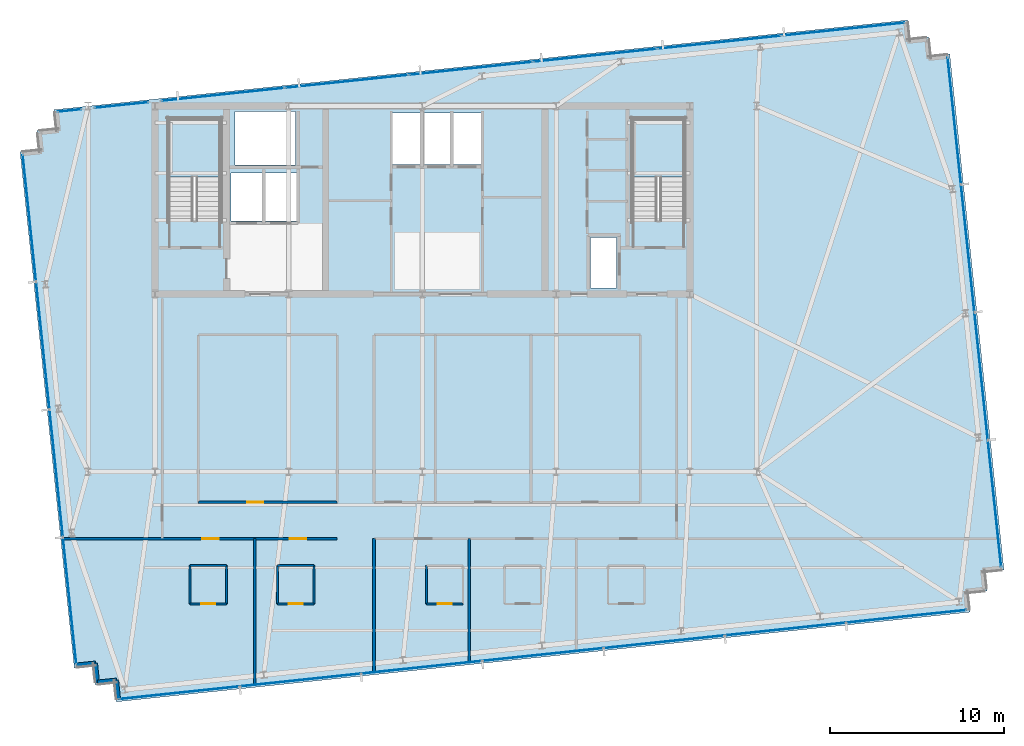
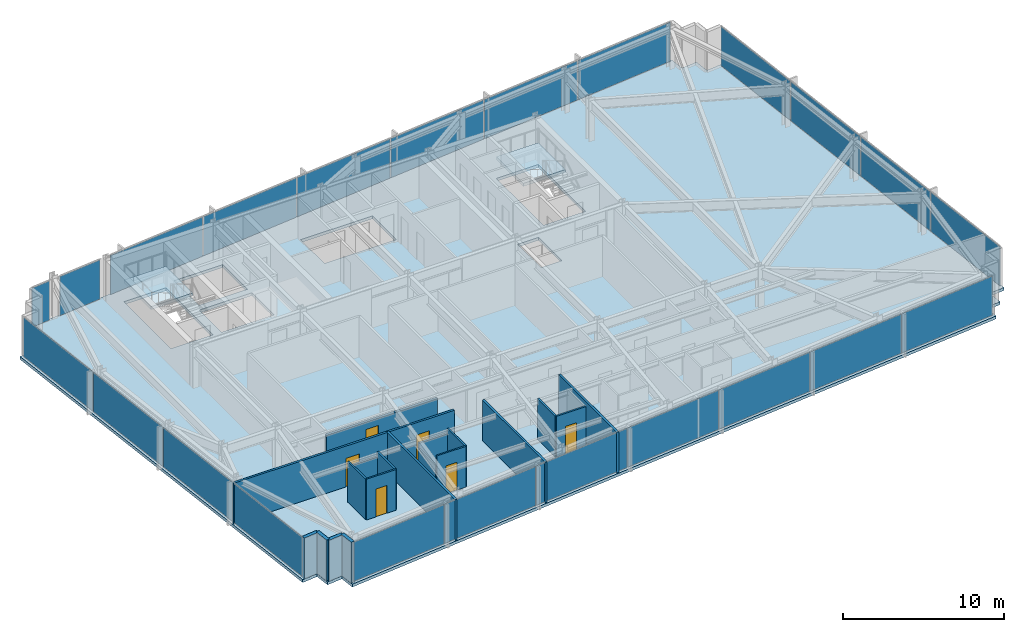
# One storey, part 26 of 33: 23 plates, 19 walls, 6 doors, 3 slabs, 6 openings, 8 elements without a shape of their own.
"""IFC4 building model written with IfcOpenShell, lengths in metres."""

from ifc_helpers import new_model, si_unit, direction, frame, frame_2d, origin, origin_2d, place, context, subcontext, project, spatial, polyline, rectangle, outline, extrude, material, layer, layer_set, type_object, element, fill, aggregate, save


model = new_model("IFC4")

# Units and contexts
model_context = context("Model", 3, precision=1e-05, world=origin(), true_north=direction((0.0, 1.0)))
body_context = subcontext(model_context, "Body", "Model", "MODEL_VIEW")
ifc_project = project(units=[si_unit("LENGTHUNIT", "METRE"), si_unit("AREAUNIT", "SQUARE_METRE"), si_unit("VOLUMEUNIT", "CUBIC_METRE"), si_unit("PLANEANGLEUNIT", "RADIAN"), si_unit("MASSUNIT", "GRAM", prefix="KILO")], contexts=[model_context])

# Site, building, storey
site_placement = place(None, origin())
site = spatial("IfcSite", under=ifc_project, at=site_placement, CompositionType="ELEMENT")
building_placement = place(site_placement, origin())
building = spatial("IfcBuilding", under=site, at=building_placement, Name="Yelkora Congress Tower", CompositionType="ELEMENT")
storey_placement = place(building_placement, frame((0.0, 0.0, 227.60009765625)))
storey = spatial("IfcBuildingStorey", under=building, at=storey_placement, Name="L63", CompositionType="ELEMENT", Elevation=227.60009765625)

# Curtain wall, plates
ifc_material_1 = material(Name="Anodised aluminium and insulated glass", Category="aluminium")
curtain_wall_type = type_object("IfcCurtainWallType", Name="CW-SYS-B4", PredefinedType="NOTDEFINED", material=ifc_material_1)
curtain_wall_1_placement = place(storey_placement, origin())
curtain_wall_1 = element("IfcCurtainWall", 1, at=curtain_wall_1_placement, inside=storey, type_object=curtain_wall_type, Name="L63 Unitised Curtain Wall 5", PredefinedType="NOTDEFINED")
ifc_material_2 = material(Name="Triple-silver diplomatic glass unit B4", Category="glass")
ifc_layer_1 = layer(ifc_material_2, 0.035888671875)
ifc_layer_set_1 = layer_set([ifc_layer_1], Name="Triple-silver diplomatic glass unit B4")
plate_type = type_object("IfcPlateType", Name="PLT-PN-B4", PredefinedType="CURTAIN_PANEL", material=ifc_layer_set_1)
plate_1_placement = place(storey_placement, frame((18.139404296875, 17.7724609375, 0.059814453125), z_axis=(0.0, 0.0, 1.0), x_axis=(-0.104526079034, 0.994522145958, 0.0)))
plate_1 = element("IfcPlate", 2, at=plate_1_placement, type_object=plate_type, Name="CW-B4 panel 1.1", PredefinedType="CURTAIN_PANEL", context=body_context, shape_type="SweptSolid", body=[
    extrude(rectangle(XDim=7.282470703125, YDim=0.035888671875, at=origin_2d()), origin(), (0.0, 0.0, 1.0), 2.9599609375),
])
plate_2_placement = place(storey_placement, frame((17.36962890625, 25.095703125, 0.059814453125), z_axis=(0.0, 0.0, 1.0), x_axis=(-0.104526079034, 0.994522145958, 0.0)))
plate_2 = element("IfcPlate", 3, at=plate_2_placement, type_object=plate_type, Name="CW-B4 panel 2.1", PredefinedType="CURTAIN_PANEL", context=body_context, shape_type="SweptSolid", body=[
    extrude(rectangle(XDim=7.31494140625, YDim=0.035888671875, at=origin_2d()), origin(), (0.0, 0.0, 1.0), 2.9599609375),
])
plate_3_placement = place(storey_placement, frame((16.59814453125, 32.435302734375, 0.059814453125), z_axis=(0.0, 0.0, 1.0), x_axis=(-0.104526079034, 0.994522145958, 0.0)))
plate_3 = element("IfcPlate", 4, at=plate_3_placement, type_object=plate_type, Name="CW-B4 panel 3.1", PredefinedType="CURTAIN_PANEL", context=body_context, shape_type="SweptSolid", body=[
    extrude(rectangle(XDim=7.31494140625, YDim=0.035888671875, at=origin_2d()), origin(), (0.0, 0.0, 1.0), 2.9599609375),
])
plate_4_placement = place(storey_placement, frame((15.82861328125, 39.7587890625, 0.059814453125), z_axis=(0.0, 0.0, 1.0), x_axis=(-0.104526079034, 0.994522145958, 0.0)))
plate_4 = element("IfcPlate", 5, at=plate_4_placement, type_object=plate_type, Name="CW-B4 panel 4.1", PredefinedType="CURTAIN_PANEL", context=body_context, shape_type="SweptSolid", body=[
    extrude(rectangle(XDim=7.282470703125, YDim=0.035888671875, at=origin_2d()), origin(), (0.0, 0.0, 1.0), 2.9599609375),
])
aggregate(curtain_wall_1, [plate_1, plate_2, plate_3, plate_4])

# Curtain wall, plate
curtain_wall_2_placement = place(storey_placement, origin())
curtain_wall_2 = element("IfcCurtainWall", 6, at=curtain_wall_2_placement, inside=storey, type_object=curtain_wall_type, Name="L63 Unitised Curtain Wall 10 (1)", PredefinedType="NOTDEFINED")
plate_5_placement = place(storey_placement, frame((18.136474609375, 45.940185546875, 0.059814453125), z_axis=(0.0, 0.0, 1.0), x_axis=(0.994523910137, 0.104509292244, 0.0)))
plate_5 = element("IfcPlate", 7, at=plate_5_placement, type_object=plate_type, Name="CW-B4 panel 1.1", PredefinedType="CURTAIN_PANEL", context=body_context, shape_type="SweptSolid", body=[
    extrude(rectangle(XDim=1.35302734375, YDim=0.035888671875, at=origin_2d()), origin(), (0.0, 0.0, 1.0), 2.9599609375),
])
aggregate(curtain_wall_2, [plate_5])

curtain_wall_3_placement = place(storey_placement, origin())
curtain_wall_3 = element("IfcCurtainWall", 8, at=curtain_wall_3_placement, inside=storey, type_object=curtain_wall_type, Name="L63 Unitised Curtain Wall 10 (2)", PredefinedType="NOTDEFINED")
plate_6_placement = place(storey_placement, frame((21.1201171875, 46.253662109375, 0.059814453125), z_axis=(0.0, 0.0, 1.0), x_axis=(0.994524239868, 0.104506154437, 0.0)))
plate_6 = element("IfcPlate", 9, at=plate_6_placement, type_object=plate_type, Name="CW-B4 panel 1.1", PredefinedType="CURTAIN_PANEL", context=body_context, shape_type="SweptSolid", body=[
    extrude(rectangle(XDim=3.075439453125, YDim=0.035888671875, at=origin_2d()), origin(), (0.0, 0.0, 1.0), 2.9599609375),
])
aggregate(curtain_wall_3, [plate_6])

# Curtain wall, plates
curtain_wall_4_placement = place(storey_placement, origin())
curtain_wall_4 = element("IfcCurtainWall", 10, at=curtain_wall_4_placement, inside=storey, type_object=curtain_wall_type, Name="L63 Unitised Curtain Wall 10 (3)", PredefinedType="NOTDEFINED")
plate_7_placement = place(storey_placement, frame((26.947509765625, 46.8662109375, 0.059814453125), z_axis=(0.0, 0.0, 1.0), x_axis=(0.994521973066, 0.104527724021, 0.0)))
plate_7 = element("IfcPlate", 11, at=plate_7_placement, type_object=plate_type, Name="CW-B4 panel 1.1", PredefinedType="CURTAIN_PANEL", context=body_context, shape_type="SweptSolid", body=[
    extrude(rectangle(XDim=7.072509765625, YDim=0.035888671875, at=origin_2d()), origin(), (0.0, 0.0, 1.0), 2.9599609375),
])
plate_8_placement = place(storey_placement, frame((34.06201171875, 47.614013671875, 0.059814453125), z_axis=(0.0, 0.0, 1.0), x_axis=(0.994521973066, 0.104527724021, 0.0)))
plate_8 = element("IfcPlate", 12, at=plate_8_placement, type_object=plate_type, Name="CW-B4 panel 2.1", PredefinedType="CURTAIN_PANEL", context=body_context, shape_type="SweptSolid", body=[
    extrude(rectangle(XDim=7.10498046875, YDim=0.035888671875, at=origin_2d()), origin(), (0.0, 0.0, 1.0), 2.9599609375),
])
plate_9_placement = place(storey_placement, frame((41.19287109375, 48.363525390625, 0.059814453125), z_axis=(0.0, 0.0, 1.0), x_axis=(0.994521973066, 0.104527724021, 0.0)))
plate_9 = element("IfcPlate", 13, at=plate_9_placement, type_object=plate_type, Name="CW-B4 panel 3.1", PredefinedType="CURTAIN_PANEL", context=body_context, shape_type="SweptSolid", body=[
    extrude(rectangle(XDim=7.10498046875, YDim=0.035888671875, at=origin_2d()), origin(), (0.0, 0.0, 1.0), 2.9599609375),
])
plate_10_placement = place(storey_placement, frame((48.32373046875, 49.113037109375, 0.059814453125), z_axis=(0.0, 0.0, 1.0), x_axis=(0.994521973066, 0.104527724021, 0.0)))
plate_10 = element("IfcPlate", 14, at=plate_10_placement, type_object=plate_type, Name="CW-B4 panel 4.1", PredefinedType="CURTAIN_PANEL", context=body_context, shape_type="SweptSolid", body=[
    extrude(rectangle(XDim=7.10498046875, YDim=0.035888671875, at=origin_2d()), origin(), (0.0, 0.0, 1.0), 2.9599609375),
])
plate_11_placement = place(storey_placement, frame((55.454345703125, 49.8623046875, 0.059814453125), z_axis=(0.0, 0.0, 1.0), x_axis=(0.994521973066, 0.104527724021, 0.0)))
plate_11 = element("IfcPlate", 15, at=plate_11_placement, type_object=plate_type, Name="CW-B4 panel 5.1", PredefinedType="CURTAIN_PANEL", context=body_context, shape_type="SweptSolid", body=[
    extrude(rectangle(XDim=7.10498046875, YDim=0.035888671875, at=origin_2d()), origin(), (0.0, 0.0, 1.0), 2.9599609375),
])
plate_12_placement = place(storey_placement, frame((62.56884765625, 50.610107421875, 0.059814453125), z_axis=(0.0, 0.0, 1.0), x_axis=(0.994521973066, 0.104527724021, 0.0)))
plate_12 = element("IfcPlate", 16, at=plate_12_placement, type_object=plate_type, Name="CW-B4 panel 6.1", PredefinedType="CURTAIN_PANEL", context=body_context, shape_type="SweptSolid", body=[
    extrude(rectangle(XDim=7.072509765625, YDim=0.035888671875, at=origin_2d()), origin(), (0.0, 0.0, 1.0), 2.9599609375),
])
aggregate(curtain_wall_4, [plate_7, plate_8, plate_9, plate_10, plate_11, plate_12])

curtain_wall_5_placement = place(storey_placement, origin())
curtain_wall_5 = element("IfcCurtainWall", 17, at=curtain_wall_5_placement, inside=storey, type_object=curtain_wall_type, Name="L63 Unitised Curtain Wall 15", PredefinedType="NOTDEFINED")
plate_13_placement = place(storey_placement, frame((68.955810546875, 45.3427734375, 0.059814453125), z_axis=(0.0, 0.0, 1.0), x_axis=(0.104525726898, -0.994522182968, 0.0)))
plate_13 = element("IfcPlate", 18, at=plate_13_placement, type_object=plate_type, Name="CW-B4 panel 1.1", PredefinedType="CURTAIN_PANEL", context=body_context, shape_type="SweptSolid", body=[
    extrude(rectangle(XDim=7.282470703125, YDim=0.035888671875, at=origin_2d()), origin(), (0.0, 0.0, 1.0), 2.9599609375),
])
plate_14_placement = place(storey_placement, frame((69.7255859375, 38.019287109375, 0.059814453125), z_axis=(0.0, 0.0, 1.0), x_axis=(0.104525726898, -0.994522182968, 0.0)))
plate_14 = element("IfcPlate", 19, at=plate_14_placement, type_object=plate_type, Name="CW-B4 panel 2.1", PredefinedType="CURTAIN_PANEL", context=body_context, shape_type="SweptSolid", body=[
    extrude(rectangle(XDim=7.31494140625, YDim=0.035888671875, at=origin_2d()), origin(), (0.0, 0.0, 1.0), 2.9599609375),
])
plate_15_placement = place(storey_placement, frame((70.496826171875, 30.6796875, 0.059814453125), z_axis=(0.0, 0.0, 1.0), x_axis=(0.104525726898, -0.994522182968, 0.0)))
plate_15 = element("IfcPlate", 20, at=plate_15_placement, type_object=plate_type, Name="CW-B4 panel 3.1", PredefinedType="CURTAIN_PANEL", context=body_context, shape_type="SweptSolid", body=[
    extrude(rectangle(XDim=7.31494140625, YDim=0.035888671875, at=origin_2d()), origin(), (0.0, 0.0, 1.0), 2.9599609375),
])
plate_16_placement = place(storey_placement, frame((71.2666015625, 23.356201171875, 0.059814453125), z_axis=(0.0, 0.0, 1.0), x_axis=(0.104525726898, -0.994522182968, 0.0)))
plate_16 = element("IfcPlate", 21, at=plate_16_placement, type_object=plate_type, Name="CW-B4 panel 4.1", PredefinedType="CURTAIN_PANEL", context=body_context, shape_type="SweptSolid", body=[
    extrude(rectangle(XDim=7.282470703125, YDim=0.035888671875, at=origin_2d()), origin(), (0.0, 0.0, 1.0), 2.9599609375),
])
aggregate(curtain_wall_5, [plate_13, plate_14, plate_15, plate_16])

curtain_wall_6_placement = place(storey_placement, origin())
curtain_wall_6 = element("IfcCurtainWall", 22, at=curtain_wall_6_placement, inside=storey, type_object=curtain_wall_type, Name="L63 Unitised Curtain Wall 20", PredefinedType="NOTDEFINED")
plate_17_placement = place(storey_placement, frame((66.19775390625, 16.884765625, 0.059814453125), z_axis=(0.0, 0.0, 1.0), x_axis=(-0.994522084373, -0.104526664994, 0.0)))
plate_17 = element("IfcPlate", 23, at=plate_17_placement, type_object=plate_type, Name="CW-B4 panel 1.1", PredefinedType="CURTAIN_PANEL", context=body_context, shape_type="SweptSolid", body=[
    extrude(rectangle(XDim=6.9052734375, YDim=0.035888671875, at=origin_2d()), origin(), (0.0, 0.0, 1.0), 2.9599609375),
])
plate_18_placement = place(storey_placement, frame((59.249267578125, 16.154541015625, 0.059814453125), z_axis=(0.0, 0.0, 1.0), x_axis=(-0.994522084373, -0.104526664994, 0.0)))
plate_18 = element("IfcPlate", 24, at=plate_18_placement, type_object=plate_type, Name="CW-B4 panel 2.1", PredefinedType="CURTAIN_PANEL", context=body_context, shape_type="SweptSolid", body=[
    extrude(rectangle(XDim=6.937744140625, YDim=0.035888671875, at=origin_2d()), origin(), (0.0, 0.0, 1.0), 2.9599609375),
])
plate_19_placement = place(storey_placement, frame((52.284912109375, 15.42236328125, 0.059814453125), z_axis=(0.0, 0.0, 1.0), x_axis=(-0.994522084373, -0.104526664994, 0.0)))
plate_19 = element("IfcPlate", 25, at=plate_19_placement, type_object=plate_type, Name="CW-B4 panel 3.1", PredefinedType="CURTAIN_PANEL", context=body_context, shape_type="SweptSolid", body=[
    extrude(rectangle(XDim=6.937744140625, YDim=0.035888671875, at=origin_2d()), origin(), (0.0, 0.0, 1.0), 2.9599609375),
])
plate_20_placement = place(storey_placement, frame((45.3203125, 14.6904296875, 0.059814453125), z_axis=(0.0, 0.0, 1.0), x_axis=(-0.994522084373, -0.104526664994, 0.0)))
plate_20 = element("IfcPlate", 26, at=plate_20_placement, type_object=plate_type, Name="CW-B4 panel 4.1", PredefinedType="CURTAIN_PANEL", context=body_context, shape_type="SweptSolid", body=[
    extrude(rectangle(XDim=6.937744140625, YDim=0.035888671875, at=origin_2d()), origin(), (0.0, 0.0, 1.0), 2.9599609375),
])
plate_21_placement = place(storey_placement, frame((38.35595703125, 13.95849609375, 0.059814453125), z_axis=(0.0, 0.0, 1.0), x_axis=(-0.994522084373, -0.104526664994, 0.0)))
plate_21 = element("IfcPlate", 27, at=plate_21_placement, type_object=plate_type, Name="CW-B4 panel 5.1", PredefinedType="CURTAIN_PANEL", context=body_context, shape_type="SweptSolid", body=[
    extrude(rectangle(XDim=6.937744140625, YDim=0.035888671875, at=origin_2d()), origin(), (0.0, 0.0, 1.0), 2.9599609375),
])
plate_22_placement = place(storey_placement, frame((31.391357421875, 13.2265625, 0.059814453125), z_axis=(0.0, 0.0, 1.0), x_axis=(-0.994522084373, -0.104526664994, 0.0)))
plate_22 = element("IfcPlate", 28, at=plate_22_placement, type_object=plate_type, Name="CW-B4 panel 6.1", PredefinedType="CURTAIN_PANEL", context=body_context, shape_type="SweptSolid", body=[
    extrude(rectangle(XDim=6.937744140625, YDim=0.035888671875, at=origin_2d()), origin(), (0.0, 0.0, 1.0), 2.9599609375),
])
plate_23_placement = place(storey_placement, frame((24.443115234375, 12.49609375, 0.059814453125), z_axis=(0.0, 0.0, 1.0), x_axis=(-0.994522084373, -0.104526664994, 0.0)))
plate_23 = element("IfcPlate", 29, at=plate_23_placement, type_object=plate_type, Name="CW-B4 panel 7.1", PredefinedType="CURTAIN_PANEL", context=body_context, shape_type="SweptSolid", body=[
    extrude(rectangle(XDim=6.9052734375, YDim=0.035888671875, at=origin_2d()), origin(), (0.0, 0.0, 1.0), 2.9599609375),
])
aggregate(curtain_wall_6, [plate_17, plate_18, plate_19, plate_20, plate_21, plate_22, plate_23])

# Stair, slab
ifc_material_3 = material(Name="Concrete C40/50", Category="concrete")
stair_type = type_object("IfcStairType", Name="STAIR-HT-1420-R20-165", PredefinedType="HALF_TURN_STAIR", material=ifc_material_3)
stair_1_placement = place(storey_placement, origin())
stair_1 = element("IfcStair", 30, at=stair_1_placement, inside=storey, type_object=stair_type, Name="West Core Protected Exit Stair ST-01 (L63)", PredefinedType="HALF_TURN_STAIR")
ifc_layer_2 = layer(ifc_material_3, 0.219970703125)
ifc_layer_set_2 = layer_set([ifc_layer_2], Name="Concrete C40/50")
slab_type_1 = type_object("IfcSlabType", Name="SLAB-LANDING-220", PredefinedType="LANDING", material=ifc_layer_set_2)
slab_1_placement = place(storey_placement, frame((0.0, 0.0, 1.429931640625)))
slab_1 = element("IfcSlab", 31, at=slab_1_placement, type_object=slab_type_1, Name="ST-01 L63 Half Landing 1", PredefinedType="LANDING", context=body_context, shape_type="SweptSolid", body=[
    extrude(outline(polyline([(26.820068359375, 42.1201171875), (26.820068359375, 45.469970703125), (23.820068359375, 45.469970703125), (23.820068359375, 42.1201171875), (26.820068359375, 42.1201171875)])), origin(), (0.0, 0.0, 1.0), 0.219970703125),
])
aggregate(stair_1, [slab_1])

stair_2_placement = place(storey_placement, origin())
stair_2 = element("IfcStair", 32, at=stair_2_placement, inside=storey, type_object=stair_type, Name="East Core Protected Exit Stair ST-02 (L63)", PredefinedType="HALF_TURN_STAIR")
slab_2_placement = place(storey_placement, frame((0.0, 0.0, 1.429931640625)))
slab_2 = element("IfcSlab", 33, at=slab_2_placement, type_object=slab_type_1, Name="ST-02 L63 Half Landing 1", PredefinedType="LANDING", context=body_context, shape_type="SweptSolid", body=[
    extrude(outline(polyline([(53.4599609375, 42.1201171875), (53.4599609375, 45.469970703125), (50.4599609375, 45.469970703125), (50.4599609375, 42.1201171875), (53.4599609375, 42.1201171875)])), origin(), (0.0, 0.0, 1.0), 0.219970703125),
])
aggregate(stair_2, [slab_2])

# Slab
ifc_layer_3 = layer(ifc_material_3, 0.219970703125)
ifc_layer_set_3 = layer_set([ifc_layer_3], Name="Concrete C40/50")
slab_type_2 = type_object("IfcSlabType", Name="SLAB-TWR-220", PredefinedType="FLOOR", material=ifc_layer_set_3)
slab_3_placement = place(storey_placement, frame((0.0, 0.0, -0.22021484375)))
element("IfcSlab", 34, at=slab_3_placement, inside=storey, type_object=slab_type_2, Name="L63 Structural Floor Slab", PredefinedType="FLOOR", context=body_context, shape_type="SweptSolid", body=[
    extrude(outline(polyline([(20.820068359375, 11.974609375), (69.85009765625, 17.127685546875), (69.735107421875, 18.2216796875), (70.828857421875, 18.3369140625), (70.714111328125, 19.430908203125), (71.807861328125, 19.545654296875), (68.693115234375, 49.1826171875), (67.59912109375, 49.0673828125), (67.48388671875, 50.16162109375), (66.39013671875, 50.04638671875), (66.275146484375, 51.140380859375), (17.2451171875, 45.9873046875), (17.360107421875, 44.893310546875), (16.26611328125, 44.7783203125), (16.381103515625, 43.684326171875), (15.287109375, 43.5693359375), (18.402099609375, 13.9326171875), (19.49609375, 14.047607421875), (19.611083984375, 12.95361328125), (20.705078125, 13.068603515625), (20.820068359375, 11.974609375)]), holes=[polyline([(23.820068359375, 39.6298828125), (26.820068359375, 39.6298828125), (26.820068359375, 45.469970703125), (23.820068359375, 45.469970703125), (23.820068359375, 39.6298828125)]), polyline([(50.4599609375, 39.6298828125), (53.4599609375, 39.6298828125), (53.4599609375, 45.469970703125), (50.4599609375, 45.469970703125), (50.4599609375, 39.6298828125)]), polyline([(48.050048828125, 35.75), (49.550048828125, 35.75), (49.550048828125, 38.64990234375), (48.050048828125, 38.64990234375), (48.050048828125, 35.75)]), polyline([(36.64990234375, 42.85009765625), (41.800048828125, 42.85009765625), (41.800048828125, 45.800048828125), (36.64990234375, 45.800048828125), (36.64990234375, 42.85009765625)]), polyline([(27.419921875, 39.60009765625), (31.179931640625, 39.60009765625), (31.179931640625, 42.35009765625), (27.419921875, 42.35009765625), (27.419921875, 39.60009765625)]), polyline([(27.64990234375, 42.820068359375), (31.1201171875, 42.820068359375), (31.1201171875, 45.8798828125), (27.64990234375, 45.8798828125), (27.64990234375, 42.820068359375)])]), origin(), (0.0, 0.0, 1.0), 0.22021484375),
])

# Walls
ifc_layer_4 = layer(ifc_material_3, 0.239990234375)
ifc_layer_set_4 = layer_set([ifc_layer_4], Name="Concrete C40/50")
wall_type_1 = type_object("IfcWallType", Name="WALL-EXT-LIMESTONE-240", PredefinedType="SOLIDWALL", material=ifc_layer_set_4)
for number, where, z_axis, x_axis, name in (
    (35, (20.944580078125, 12.12841796875, 0.0), (0.0, 0.0, 1.0), (-0.104534592565, 0.994521251134, 0.0), "L63 Serrated Corner Limestone Pier 1"),
    (36, (20.82958984375, 13.222412109375, 0.0), (0.0, 0.0, 1.0), (-0.994521251134, -0.104534592565, 0.0), "L63 Serrated Corner Limestone Pier 2"),
    (37, (19.735595703125, 13.107421875, 0.0), (0.0, 0.0, 1.0), (-0.104534592565, 0.994521251134, 0.0), "L63 Serrated Corner Limestone Pier 3"),
    (38, (19.62060546875, 14.201416015625, 0.0), (0.0, 0.0, 1.0), (-0.994521251134, -0.104534592565, 0.0), "L63 Serrated Corner Limestone Pier 4"),
):
    element("IfcWall", number, at=place(storey_placement, frame(where, z_axis=z_axis, x_axis=x_axis)), inside=storey, type_object=wall_type_1, Name=name, PredefinedType="SOLIDWALL", context=body_context, shape_type="SweptSolid", body=[
        extrude(rectangle(XDim=1.10009765625, YDim=0.239990234375, at=frame_2d((0.550048828125, 0.0))), origin(), (0.0, 0.0, 1.0), 3.079833984375),
    ])
ifc_material_4 = material(Name="Moisture-resistant gypsum partition", Category="gypsum")
ifc_layer_5 = layer(ifc_material_4, 0.1201171875)
ifc_layer_set_5 = layer_set([ifc_layer_5], Name="Moisture-resistant gypsum partition")
wall_type_2 = type_object("IfcWallType", Name="WALL-INT-120-NR", PredefinedType="PARTITIONING", material=ifc_layer_set_5)
wall_1_placement = place(storey_placement, frame((25.06005859375, 19.800048828125, 0.0), z_axis=(0.0, 0.0, 1.0), x_axis=(1.0, 0.0, 0.0)))
element("IfcWall", 39, at=wall_1_placement, inside=storey, type_object=wall_type_2, Name="L63 Partition Wall 24", PredefinedType="PARTITIONING", context=body_context, shape_type="SweptSolid", body=[
    extrude(rectangle(XDim=2.099853515625, YDim=0.1201171875, at=frame_2d((1.0498046875, 0.0))), origin(), (0.0, 0.0, 1.0), 2.71484375),
])
for number, where, z_axis, x_axis, name in (
    (40, (25.06005859375, 17.60009765625, 0.0), (0.0, 0.0, 1.0), (0.0, 1.0, 0.0), "L63 Partition Wall 25"),
    (41, (27.159912109375, 17.60009765625, 0.0), (0.0, 0.0, 1.0), (0.0, 1.0, 0.0), "L63 Partition Wall 26"),
):
    element("IfcWall", number, at=place(storey_placement, frame(where, z_axis=z_axis, x_axis=x_axis)), inside=storey, type_object=wall_type_2, Name=name, PredefinedType="PARTITIONING", context=body_context, shape_type="SweptSolid", body=[
        extrude(rectangle(XDim=2.199951171875, YDim=0.1201171875, at=frame_2d((1.10009765625, 0.0))), origin(), (0.0, 0.0, 1.0), 3.079833984375),
    ])

# Wall, opening, door
wall_2_placement = place(storey_placement, frame((25.06005859375, 17.60009765625, 0.0), z_axis=(0.0, 0.0, 1.0), x_axis=(1.0, 0.0, 0.0)))
wall_2 = element("IfcWall", 42, at=wall_2_placement, inside=storey, type_object=wall_type_2, Name="L63 Partition Wall 27", PredefinedType="PARTITIONING", context=body_context, shape_type="SweptSolid", body=[
    extrude(rectangle(XDim=2.099853515625, YDim=0.1201171875, at=frame_2d((1.0498046875, 0.0))), origin(), (0.0, 0.0, 1.0), 3.079833984375),
])
opening_1_placement = place(wall_2_placement, frame((0.64990234375, 0.0, 0.0)))
opening_1 = element("IfcOpeningElement", 43, at=opening_1_placement, cuts=wall_2, Name="Opening DR-080B", PredefinedType="OPENING", context=body_context, shape_type="SweptSolid", body=[
    extrude(rectangle(XDim=0.800048828125, YDim=2.10009765625, at=frame_2d((0.39990234375, 1.050048828125))), frame((0.0, 0.070068359375, 0.0), z_axis=(0.0, -1.0, 0.0), x_axis=(1.0, 0.0, 0.0)), (0.0, 0.0, 1.0), 0.14013671875),
])
ifc_material_5 = material(Name="Moisture-sealed en-suite timber door", Category="wood")
door_type_1 = type_object("IfcDoorType", Name="DOOR-BATH-800", OperationType="NOTDEFINED", PredefinedType="DOOR", material=ifc_material_5)
door_1_placement = place(opening_1_placement, origin())
door_1 = element("IfcDoor", 44, at=door_1_placement, inside=storey, type_object=door_type_1, Name="L63 En-suite Door 1", OperationType="SINGLE_SWING_LEFT", OverallHeight=2.10009765625, OverallWidth=0.800048828125, PredefinedType="DOOR", context=body_context, shape_type="SweptSolid", body=[
    extrude(rectangle(XDim=0.800048828125, YDim=2.10009765625, at=frame_2d((0.39990234375, 1.050048828125))), frame((0.0, 0.02490234375, 0.0), z_axis=(0.0, -1.0, 0.0), x_axis=(1.0, 0.0, 0.0)), (0.0, 0.0, 1.0), 0.050048828125),
])
fill(opening_1, door_1)

# Walls
wall_3_placement = place(storey_placement, frame((30.080078125, 19.800048828125, 0.0), z_axis=(0.0, 0.0, 1.0), x_axis=(1.0, 0.0, 0.0)))
element("IfcWall", 45, at=wall_3_placement, inside=storey, type_object=wall_type_2, Name="L63 Partition Wall 28", PredefinedType="PARTITIONING", context=body_context, shape_type="SweptSolid", body=[
    extrude(rectangle(XDim=2.099853515625, YDim=0.1201171875, at=frame_2d((1.0498046875, 0.0))), origin(), (0.0, 0.0, 1.0), 2.71484375),
])
wall_4_placement = place(storey_placement, frame((30.080078125, 17.60009765625, 0.0), z_axis=(0.0, 0.0, 1.0), x_axis=(0.0, 1.0, 0.0)))
element("IfcWall", 46, at=wall_4_placement, inside=storey, type_object=wall_type_2, Name="L63 Partition Wall 29", PredefinedType="PARTITIONING", context=body_context, shape_type="SweptSolid", body=[
    extrude(rectangle(XDim=2.199951171875, YDim=0.1201171875, at=frame_2d((1.10009765625, 0.0))), origin(), (0.0, 0.0, 1.0), 2.31298828125),
])
wall_5_placement = place(storey_placement, frame((32.179931640625, 17.60009765625, 0.0), z_axis=(0.0, 0.0, 1.0), x_axis=(0.0, 1.0, 0.0)))
element("IfcWall", 47, at=wall_5_placement, inside=storey, type_object=wall_type_2, Name="L63 Partition Wall 30", PredefinedType="PARTITIONING", context=body_context, shape_type="SweptSolid", body=[
    extrude(rectangle(XDim=2.199951171875, YDim=0.1201171875, at=frame_2d((1.10009765625, 0.0))), origin(), (0.0, 0.0, 1.0), 3.079833984375),
])

# Wall, opening, door
wall_6_placement = place(storey_placement, frame((30.080078125, 17.60009765625, 0.0), z_axis=(0.0, 0.0, 1.0), x_axis=(1.0, 0.0, 0.0)))
wall_6 = element("IfcWall", 48, at=wall_6_placement, inside=storey, type_object=wall_type_2, Name="L63 Partition Wall 31", PredefinedType="PARTITIONING", context=body_context, shape_type="SweptSolid", body=[
    extrude(rectangle(XDim=2.099853515625, YDim=0.1201171875, at=frame_2d((1.0498046875, 0.0))), origin(), (0.0, 0.0, 1.0), 3.079833984375),
])
opening_2_placement = place(wall_6_placement, frame((0.64990234375, 0.0, 0.0)))
opening_2 = element("IfcOpeningElement", 49, at=opening_2_placement, cuts=wall_6, Name="Opening DR-080B", PredefinedType="OPENING", context=body_context, shape_type="SweptSolid", body=[
    extrude(rectangle(XDim=0.800048828125, YDim=2.10009765625, at=frame_2d((0.39990234375, 1.050048828125))), frame((0.0, 0.070068359375, 0.0), z_axis=(0.0, -1.0, 0.0), x_axis=(1.0, 0.0, 0.0)), (0.0, 0.0, 1.0), 0.14013671875),
])
door_2_placement = place(opening_2_placement, origin())
door_2 = element("IfcDoor", 50, at=door_2_placement, inside=storey, type_object=door_type_1, Name="L63 En-suite Door 2", OperationType="SINGLE_SWING_RIGHT", OverallHeight=2.10009765625, OverallWidth=0.800048828125, PredefinedType="DOOR", context=body_context, shape_type="SweptSolid", body=[
    extrude(rectangle(XDim=0.800048828125, YDim=2.10009765625, at=frame_2d((0.39990234375, 1.050048828125))), frame((0.0, 0.02490234375, 0.0), z_axis=(0.0, -1.0, 0.0), x_axis=(1.0, 0.0, 0.0)), (0.0, 0.0, 1.0), 0.050048828125),
])
fill(opening_2, door_2)

# Wall
wall_7_placement = place(storey_placement, frame((38.632080078125, 17.60009765625, 0.0), z_axis=(0.0, 0.0, 1.0), x_axis=(0.0, 1.0, 0.0)))
element("IfcWall", 51, at=wall_7_placement, inside=storey, type_object=wall_type_2, Name="L63 Partition Wall 34", PredefinedType="PARTITIONING", context=body_context, shape_type="SweptSolid", body=[
    extrude(rectangle(XDim=2.199951171875, YDim=0.1201171875, at=frame_2d((1.10009765625, 0.0))), origin(), (0.0, 0.0, 1.0), 3.079833984375),
])

# Wall, opening, door
wall_8_placement = place(storey_placement, frame((38.632080078125, 17.60009765625, 0.0), z_axis=(0.0, 0.0, 1.0), x_axis=(1.0, 0.0, 0.0)))
wall_8 = element("IfcWall", 52, at=wall_8_placement, inside=storey, type_object=wall_type_2, Name="L63 Partition Wall 36", PredefinedType="PARTITIONING", context=body_context, shape_type="SweptSolid", body=[
    extrude(rectangle(XDim=2.099853515625, YDim=0.1201171875, at=frame_2d((1.0498046875, 0.0))), origin(), (0.0, 0.0, 1.0), 3.079833984375),
])
opening_3_placement = place(wall_8_placement, frame((0.64990234375, 0.0, 0.0)))
opening_3 = element("IfcOpeningElement", 53, at=opening_3_placement, cuts=wall_8, Name="Opening DR-080B", PredefinedType="OPENING", context=body_context, shape_type="SweptSolid", body=[
    extrude(rectangle(XDim=0.800048828125, YDim=2.10009765625, at=frame_2d((0.39990234375, 1.050048828125))), frame((0.0, 0.070068359375, 0.0), z_axis=(0.0, -1.0, 0.0), x_axis=(1.0, 0.0, 0.0)), (0.0, 0.0, 1.0), 0.14013671875),
])
door_3_placement = place(opening_3_placement, origin())
door_3 = element("IfcDoor", 54, at=door_3_placement, inside=storey, type_object=door_type_1, Name="L63 En-suite Door 4", OperationType="SINGLE_SWING_LEFT", OverallHeight=2.10009765625, OverallWidth=0.800048828125, PredefinedType="DOOR", context=body_context, shape_type="SweptSolid", body=[
    extrude(rectangle(XDim=0.800048828125, YDim=2.10009765625, at=frame_2d((0.39990234375, 1.050048828125))), frame((0.0, 0.02490234375, 0.0), z_axis=(0.0, -1.0, 0.0), x_axis=(1.0, 0.0, 0.0)), (0.0, 0.0, 1.0), 0.050048828125),
])
fill(opening_3, door_3)

ifc_material_6 = material(Name="Acoustic metal-stud gypsum partition", Category="gypsum")
ifc_layer_6 = layer(ifc_material_6, 0.14990234375)
ifc_layer_set_6 = layer_set([ifc_layer_6], Name="Acoustic metal-stud gypsum partition")
wall_type_3 = type_object("IfcWallType", Name="WALL-INT-150-NR", PredefinedType="PARTITIONING", material=ifc_layer_set_6)
wall_9_placement = place(storey_placement, frame((25.550048828125, 23.429931640625, 0.0), z_axis=(0.0, 0.0, 1.0), x_axis=(1.0, 0.0, 0.0)))
wall_9 = element("IfcWall", 55, at=wall_9_placement, inside=storey, type_object=wall_type_3, Name="L63 Partition Wall 58", PredefinedType="PARTITIONING", context=body_context, shape_type="SweptSolid", body=[
    extrude(rectangle(XDim=7.93994140625, YDim=0.14990234375, at=frame_2d((3.969970703125, 0.0))), origin(), (0.0, 0.0, 1.0), 2.71484375),
])
opening_4_placement = place(wall_9_placement, frame((2.802490234375, 0.0, 0.0)))
opening_4 = element("IfcOpeningElement", 56, at=opening_4_placement, cuts=wall_9, Name="Opening DR-090N", PredefinedType="OPENING", context=body_context, shape_type="SweptSolid", body=[
    extrude(rectangle(XDim=0.89990234375, YDim=2.14990234375, at=frame_2d((0.449951171875, 1.074951171875))), frame((0.0, 0.0849609375, 0.0), z_axis=(0.0, -1.0, 0.0), x_axis=(1.0, 0.0, 0.0)), (0.0, 0.0, 1.0), 0.169921875),
])
ifc_material_7 = material(Name="Moisture-resistant laminate door leaf", Category="wood")
door_type_2 = type_object("IfcDoorType", Name="DOOR-INT-900", OperationType="NOTDEFINED", PredefinedType="DOOR", material=ifc_material_7)
door_4_placement = place(opening_4_placement, origin())
door_4 = element("IfcDoor", 57, at=door_4_placement, inside=storey, type_object=door_type_2, Name="L63 Housekeeping & Linen Room Door", OperationType="SINGLE_SWING_LEFT", OverallHeight=2.14990234375, OverallWidth=0.89990234375, PredefinedType="DOOR", context=body_context, shape_type="SweptSolid", body=[
    extrude(rectangle(XDim=0.89990234375, YDim=2.14990234375, at=frame_2d((0.449951171875, 1.074951171875))), frame((0.0, 0.02490234375, 0.0), z_axis=(0.0, -1.0, 0.0), x_axis=(1.0, 0.0, 0.0)), (0.0, 0.0, 1.0), 0.050048828125),
])
fill(opening_4, door_4)

# Walls
ifc_material_8 = material(Name="Twin-stud fire-rated gypsum partition", Category="gypsum")
ifc_layer_7 = layer(ifc_material_8, 0.14990234375)
ifc_layer_set_7 = layer_set([ifc_layer_7], Name="Twin-stud fire-rated gypsum partition")
wall_type_4 = type_object("IfcWallType", Name="WALL-INT-150-R60", PredefinedType="PARTITIONING", material=ifc_layer_set_7)
wall_10_placement = place(storey_placement, frame((28.77001953125, 12.890625, 0.0), z_axis=(0.0, 0.0, 1.0), x_axis=(0.0, 1.0, 0.0)))
element("IfcWall", 58, at=wall_10_placement, inside=storey, type_object=wall_type_4, Name="L63 Partition Wall 32", PredefinedType="PARTITIONING", context=body_context, shape_type="SweptSolid", body=[
    extrude(rectangle(XDim=8.4794921875, YDim=0.14990234375, at=frame_2d((4.23974609375, 0.0))), origin(), (0.0, 0.0, 1.0), 3.079833984375),
])
wall_11_placement = place(storey_placement, frame((35.6201171875, 13.610595703125, 0.0), z_axis=(0.0, 0.0, 1.0), x_axis=(0.0, 1.0, 0.0)))
element("IfcWall", 59, at=wall_11_placement, inside=storey, type_object=wall_type_4, Name="L63 Partition Wall 37", PredefinedType="PARTITIONING", context=body_context, shape_type="SweptSolid", body=[
    extrude(rectangle(XDim=7.759521484375, YDim=0.14990234375, at=frame_2d((3.8798828125, 0.0))), origin(), (0.0, 0.0, 1.0), 3.079833984375),
])
wall_12_placement = place(storey_placement, frame((41.08203125, 14.1845703125, 0.0), z_axis=(0.0, 0.0, 1.0), x_axis=(0.0, 1.0, 0.0)))
element("IfcWall", 60, at=wall_12_placement, inside=storey, type_object=wall_type_4, Name="L63 Partition Wall 42", PredefinedType="PARTITIONING", context=body_context, shape_type="SweptSolid", body=[
    extrude(rectangle(XDim=7.185546875, YDim=0.14990234375, at=frame_2d((3.5927734375, 0.0))), origin(), (0.0, 0.0, 1.0), 3.079833984375),
])

# Wall, openings, doors
wall_13_placement = place(storey_placement, frame((17.702880859375, 21.35009765625, 0.0), z_axis=(0.0, 0.0, 1.0), x_axis=(1.0, 0.0, 0.0)))
wall_13 = element("IfcWall", 61, at=wall_13_placement, inside=storey, type_object=wall_type_4, Name="L63 South Spine Wall West", PredefinedType="PARTITIONING", context=body_context, shape_type="SweptSolid", body=[
    extrude(rectangle(XDim=15.797119140625, YDim=0.14990234375, at=frame_2d((7.8984375, 0.0))), origin(), (0.0, 0.0, 1.0), 3.079833984375),
])
opening_5_placement = place(wall_13_placement, frame((8.047119140625, 0.0, 0.0)))
opening_5 = element("IfcOpeningElement", 62, at=opening_5_placement, cuts=wall_13, Name="Opening DR-095F6", PredefinedType="OPENING", context=body_context, shape_type="SweptSolid", body=[
    extrude(rectangle(XDim=0.949951171875, YDim=2.14990234375, at=frame_2d((0.47509765625, 1.074951171875))), frame((0.0, 0.0849609375, 0.0), z_axis=(0.0, -1.0, 0.0), x_axis=(1.0, 0.0, 0.0)), (0.0, 0.0, 1.0), 0.169921875),
])
opening_6_placement = place(wall_13_placement, frame((13.06689453125, 0.0, 0.0)))
opening_6 = element("IfcOpeningElement", 63, at=opening_6_placement, cuts=wall_13, Name="Opening DR-095F6", PredefinedType="OPENING", context=body_context, shape_type="SweptSolid", body=[
    extrude(rectangle(XDim=0.949951171875, YDim=2.14990234375, at=frame_2d((0.47509765625, 1.074951171875))), frame((0.0, 0.0849609375, 0.0), z_axis=(0.0, -1.0, 0.0), x_axis=(1.0, 0.0, 0.0)), (0.0, 0.0, 1.0), 0.169921875),
])
ifc_material_9 = material(Name="Acoustic oak-veneer fire door leaf", Category="wood")
door_type_3 = type_object("IfcDoorType", Name="DOOR-FD60-950", OperationType="NOTDEFINED", PredefinedType="DOOR", material=ifc_material_9)
door_5_placement = place(opening_5_placement, origin())
door_5 = element("IfcDoor", 64, at=door_5_placement, inside=storey, type_object=door_type_3, Name="L63 Diplomatic Suite 01 Entry Door", OperationType="SINGLE_SWING_RIGHT", OverallHeight=2.14990234375, OverallWidth=0.949951171875, PredefinedType="DOOR", context=body_context, shape_type="SweptSolid", body=[
    extrude(rectangle(XDim=0.949951171875, YDim=2.14990234375, at=frame_2d((0.47509765625, 1.074951171875))), frame((0.0, 0.02490234375, 0.0), z_axis=(0.0, -1.0, 0.0), x_axis=(1.0, 0.0, 0.0)), (0.0, 0.0, 1.0), 0.050048828125),
])
fill(opening_5, door_5)
door_6_placement = place(opening_6_placement, origin())
door_6 = element("IfcDoor", 65, at=door_6_placement, inside=storey, type_object=door_type_3, Name="L63 Hotel Guest Room 02 Entry Door", OperationType="SINGLE_SWING_LEFT", OverallHeight=2.14990234375, OverallWidth=0.949951171875, PredefinedType="DOOR", context=body_context, shape_type="SweptSolid", body=[
    extrude(rectangle(XDim=0.949951171875, YDim=2.14990234375, at=frame_2d((0.47509765625, 1.074951171875))), frame((0.0, 0.02490234375, 0.0), z_axis=(0.0, -1.0, 0.0), x_axis=(1.0, 0.0, 0.0)), (0.0, 0.0, 1.0), 0.050048828125),
])
fill(opening_6, door_6)

save(model, "model.ifc")
